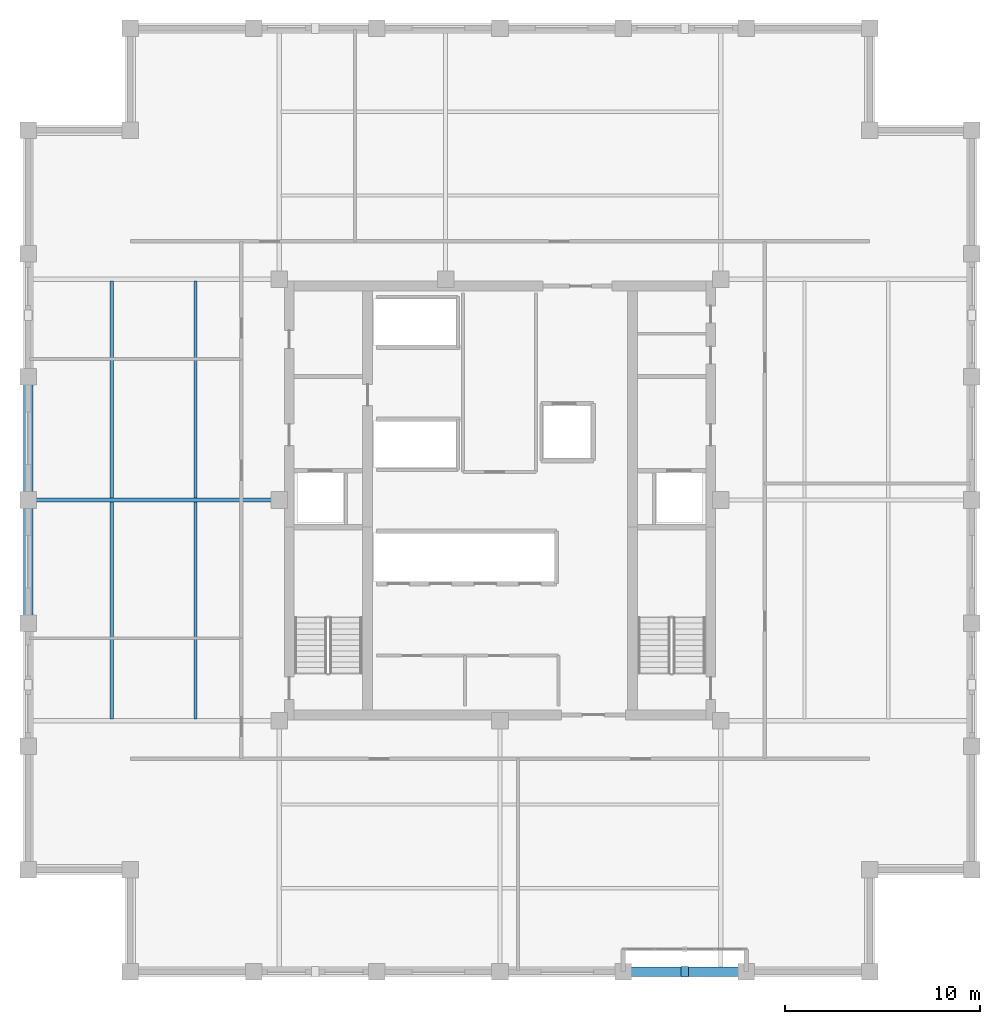
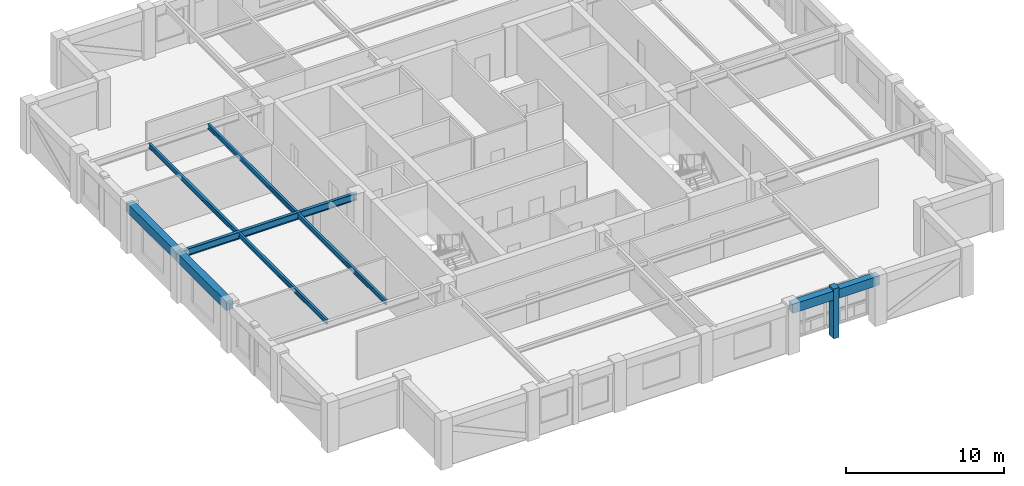
# One storey, part 3 of 10: 8 beams, 1 member.
"""IFC4 building model written with IfcOpenShell, lengths in metres."""

from ifc_helpers import new_model, si_unit, direction, frame, origin, origin_2d, place, context, subcontext, project, spatial, rectangle, i_section, extrude, material, material_profile, profile_set, type_object, element, save


model = new_model("IFC4")

# Units and contexts
model_context = context("Model", 3, precision=1e-05, world=origin(), true_north=direction((0.0, 1.0)))
body_context = subcontext(model_context, "Body", "Model", "MODEL_VIEW")
ifc_project = project(units=[si_unit("LENGTHUNIT", "METRE"), si_unit("AREAUNIT", "SQUARE_METRE"), si_unit("VOLUMEUNIT", "CUBIC_METRE"), si_unit("PLANEANGLEUNIT", "RADIAN"), si_unit("MASSUNIT", "GRAM", prefix="KILO")], contexts=[model_context])

# Site, building, storey
site_placement = place(None, origin())
site = spatial("IfcSite", under=ifc_project, at=site_placement, CompositionType="ELEMENT")
building_placement = place(site_placement, origin())
building = spatial("IfcBuilding", under=site, at=building_placement, Name="Nhamokura Convention Tower", CompositionType="ELEMENT")
storey_placement = place(building_placement, frame((0.0, 0.0, 210.0)))
storey = spatial("IfcBuildingStorey", under=building, at=storey_placement, Name="L51", CompositionType="ELEMENT", Elevation=210.0)

# Member
ifc_material_1 = material(Name="Bronze-pigmented precast concrete C45/55", Category="concrete")
ifc_material_profile_1 = material_profile(ifc_material_1, rectangle(XDim=0.39990234375, YDim=0.550048828125, at=origin_2d()))
ifc_profile_set_1 = profile_set([ifc_material_profile_1], Name="Bronze-pigmented precast concrete C45/55")
member_type = type_object("IfcMemberType", Name="BronzePilaster_550", PredefinedType="USERDEFINED", material=ifc_profile_set_1)
member_placement = place(storey_placement, frame((41.5, 7.75, 0.0), z_axis=(0.0, 0.0, 1.0), x_axis=(1.0, 0.0, 0.0)))
element("IfcMember", 1, at=member_placement, inside=storey, type_object=member_type, Name="L51 Engaged Frame Pilaster SOUTH 4", ObjectType="PILASTER_TRIM", PredefinedType="USERDEFINED", context=body_context, shape_type="SweptSolid", body=[
    extrude(rectangle(XDim=0.39990234375, YDim=0.550048828125, at=origin_2d()), origin(), (0.0, 0.0, 1.0), 3.85009765625),
])

# Beams
ifc_material_2 = material(Name="Steel ASTM A992 Gr 50", Category="steel")
ifc_material_profile_2 = material_profile(ifc_material_2, i_section(OverallWidth=0.172119140625, OverallDepth=0.35791015625, WebThickness=0.0078125, FlangeThickness=0.01318359375, at=origin_2d()))
ifc_profile_set_2 = profile_set([ifc_material_profile_2], Name="Steel ASTM A992 Gr 50")
beam_type_1 = type_object("IfcBeamType", Name="FloorJoist_W360X57", PredefinedType="JOIST", material=ifc_profile_set_2)
for number, where, z_axis, x_axis, name in (
    (2, (12.050048828125, 20.75341796875, 3.506103515625), (0.0, 1.0, 0.0), (-1.0, 0.0, 0.0), "L51 Composite Floor Joist W1A"),
    (3, (12.050048828125, 32.103515625, 3.506103515625), (0.0, 1.0, 0.0), (-1.0, 0.0, 0.0), "L51 Composite Floor Joist W1B"),
    (4, (16.35009765625, 20.75341796875, 3.506103515625), (0.0, 1.0, 0.0), (-1.0, 0.0, 0.0), "L51 Composite Floor Joist W2A"),
    (5, (16.35009765625, 32.103515625, 3.506103515625), (0.0, 1.0, 0.0), (-1.0, 0.0, 0.0), "L51 Composite Floor Joist W2B"),
):
    element("IfcBeam", number, at=place(storey_placement, frame(where, z_axis=z_axis, x_axis=x_axis)), inside=storey, type_object=beam_type_1, Name=name, PredefinedType="JOIST", context=body_context, shape_type="SweptSolid", body=[
        extrude(i_section(OverallWidth=0.172119140625, OverallDepth=0.35791015625, WebThickness=0.0078125, FlangeThickness=0.01318359375, at=origin_2d()), origin(), (0.0, 0.0, 1.0), 11.14306640625),
    ])
ifc_material_3 = material(Name="Steel ASTM A992 Gr 50", Category="steel")
ifc_material_profile_3 = material_profile(ifc_material_3, i_section(OverallWidth=0.2109375, OverallDepth=0.5390625, WebThickness=0.01171875, FlangeThickness=0.018798828125, at=origin_2d()))
ifc_profile_set_3 = profile_set([ifc_material_profile_3], Name="Steel ASTM A992 Gr 50")
beam_type_2 = type_object("IfcBeamType", Name="PrimaryGirder_W530X109", PredefinedType="BEAM", material=ifc_profile_set_3)
beam_1_placement = place(storey_placement, frame((7.75, 32.0, 3.41552734375), z_axis=(1.0, 0.0, 0.0), x_axis=(0.0, 1.0, 0.0)))
element("IfcBeam", 6, at=beam_1_placement, inside=storey, type_object=beam_type_2, Name="L51 Primary Floor Girder PG-W2", PredefinedType="BEAM", context=body_context, shape_type="SweptSolid", body=[
    extrude(i_section(OverallWidth=0.2109375, OverallDepth=0.5390625, WebThickness=0.01171875, FlangeThickness=0.018798828125, at=origin_2d()), origin(), (0.0, 0.0, 1.0), 12.89990234375),
])
ifc_material_4 = material(Name="Concrete C50/60", Category="concrete")
ifc_material_profile_4 = material_profile(ifc_material_4, rectangle(XDim=0.5, YDim=0.699951171875, at=origin_2d()))
ifc_profile_set_4 = profile_set([ifc_material_profile_4], Name="Concrete C50/60")
beam_type_3 = type_object("IfcBeamType", Name="TubeSpandrel_700", PredefinedType="SPANDREL", material=ifc_profile_set_4)
beam_2_placement = place(storey_placement, frame((38.333251953125, 7.75, 3.3349609375), z_axis=(1.0, 0.0, 0.0), x_axis=(0.0, 1.0, 0.0)))
element("IfcBeam", 7, at=beam_2_placement, inside=storey, type_object=beam_type_3, Name="L51 Perimeter Spandrel SOUTH 5", PredefinedType="SPANDREL", context=body_context, shape_type="SweptSolid", body=[
    extrude(rectangle(XDim=0.5, YDim=0.699951171875, at=origin_2d()), origin(), (0.0, 0.0, 1.0), 6.33349609375),
])
for number, where, z_axis, x_axis, name in (
    (8, (7.75, 25.666748046875, 3.3349609375), (0.0, 1.0, 0.0), (-1.0, 0.0, 0.0), "L51 Perimeter Spandrel WEST 3"),
    (9, (7.75, 32.0, 3.3349609375), (0.0, 1.0, 0.0), (-1.0, 0.0, 0.0), "L51 Perimeter Spandrel WEST 4"),
):
    element("IfcBeam", number, at=place(storey_placement, frame(where, z_axis=z_axis, x_axis=x_axis)), inside=storey, type_object=beam_type_3, Name=name, PredefinedType="SPANDREL", context=body_context, shape_type="SweptSolid", body=[
        extrude(rectangle(XDim=0.5, YDim=0.699951171875, at=origin_2d()), origin(), (0.0, 0.0, 1.0), 6.333251953125),
    ])

save(model, "model.ifc")
